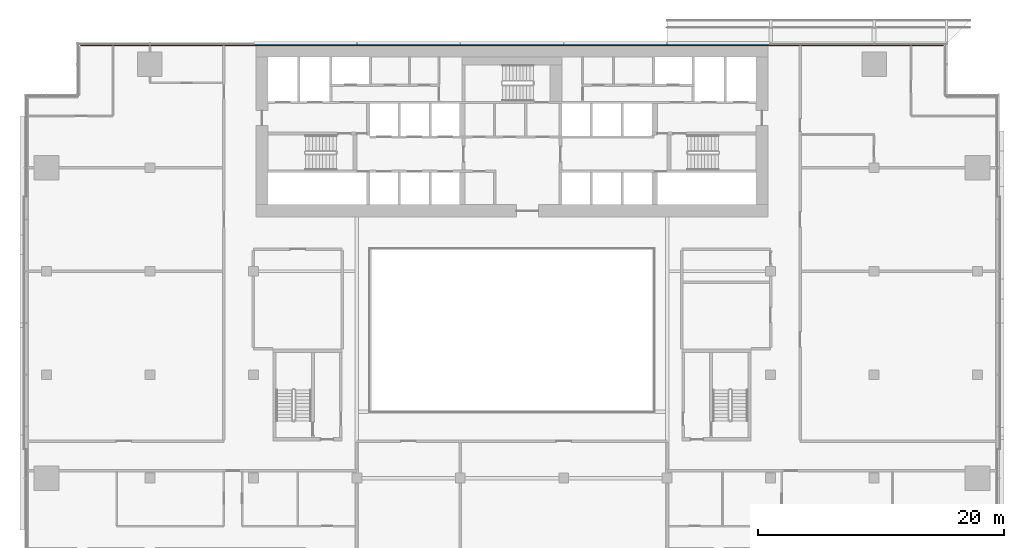
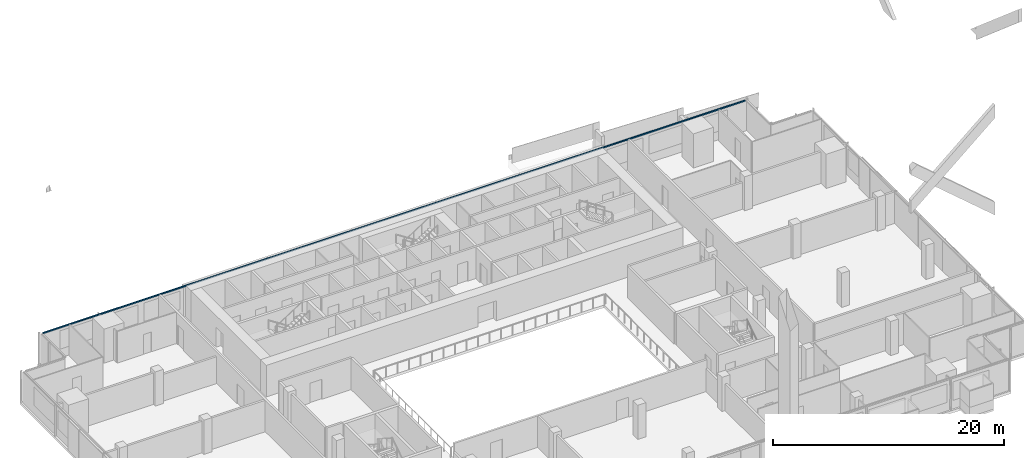
# One storey, part 12 of 30: 1 member, 1 element without a shape of its own.
"""IFC4 building model written with IfcOpenShell, lengths in metres."""

from ifc_helpers import new_model, si_unit, direction, frame, origin, origin_2d, place, context, subcontext, project, spatial, rectangle, extrude, material, material_profile, profile_set, type_object, element, aggregate, save


model = new_model("IFC4")

# Units and contexts
model_context = context("Model", 3, precision=1e-05, world=origin(), true_north=direction((0.0, 1.0)))
body_context = subcontext(model_context, "Body", "Model", "MODEL_VIEW")
ifc_project = project(units=[si_unit("LENGTHUNIT", "METRE"), si_unit("AREAUNIT", "SQUARE_METRE"), si_unit("VOLUMEUNIT", "CUBIC_METRE"), si_unit("PLANEANGLEUNIT", "RADIAN"), si_unit("MASSUNIT", "GRAM", prefix="KILO")], contexts=[model_context])

# Site, building, storey
site_placement = place(None, origin())
site = spatial("IfcSite", under=ifc_project, at=site_placement, CompositionType="ELEMENT")
building_placement = place(site_placement, origin())
building = spatial("IfcBuilding", under=site, at=building_placement, Name="Saffron Gate Tower", CompositionType="ELEMENT")
storey_placement = place(building_placement, frame((0.0, 0.0, 95.25)))
storey = spatial("IfcBuildingStorey", under=building, at=storey_placement, Name="L21", CompositionType="ELEMENT", Elevation=95.25)

# Curtain wall, member
ifc_material = material(Name="Aluminium, bronze anodised", Category="aluminium")
curtain_wall_type = type_object("IfcCurtainWallType", Name="CWS3 curtain wall rear facade", PredefinedType="NOTDEFINED", material=ifc_material)
curtain_wall_placement = place(storey_placement, origin())
curtain_wall = element("IfcCurtainWall", 1, at=curtain_wall_placement, inside=storey, type_object=curtain_wall_type, Name="CWS3 run 7", PredefinedType="NOTDEFINED")
ifc_material_profile = material_profile(ifc_material, rectangle(XDim=0.1201171875, YDim=0.1201171875, at=origin_2d()))
ifc_profile_set = profile_set([ifc_material_profile], Name="Aluminium, bronze anodised")
member_type = type_object("IfcMemberType", Name="CWS3 head transom", PredefinedType="USERDEFINED", material=ifc_profile_set)
member_placement = place(storey_placement, frame((122.632080078125, 75.35205078125, 3.260009765625), z_axis=(-1.0, 0.0, 0.0), x_axis=(0.0, -1.0, 0.0)))
member = element("IfcMember", 2, at=member_placement, type_object=member_type, Name="CWS3 head transom", ObjectType="TRANSOM", PredefinedType="USERDEFINED", context=body_context, shape_type="SweptSolid", body=[
    extrude(rectangle(XDim=0.1201171875, YDim=0.1201171875, at=origin_2d()), origin(), (0.0, 0.0, 1.0), 70.06396484375),
])
aggregate(curtain_wall, [member])

save(model, "model.ifc")
